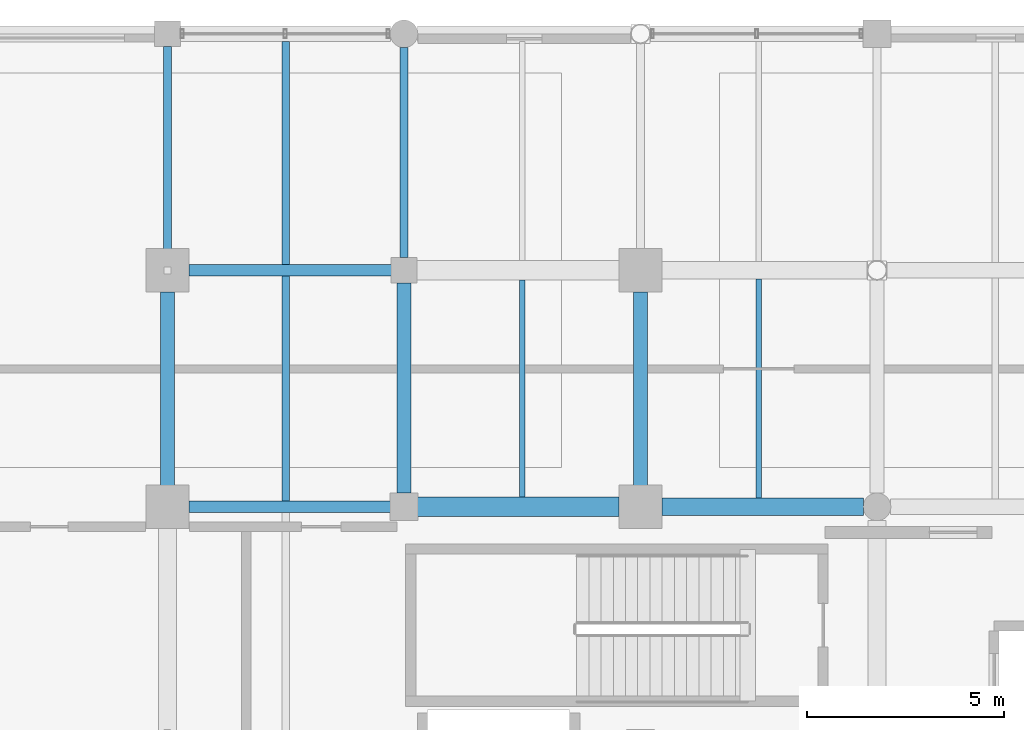
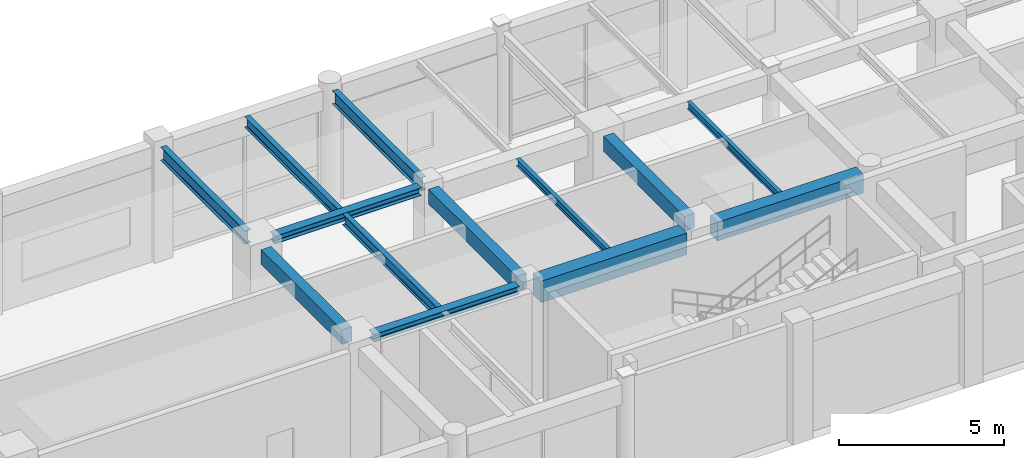
# One storey, part 43 of 116: 13 beams.
"""IFC4 building model written with IfcOpenShell, lengths in metres."""

from ifc_helpers import new_model, si_unit, direction, frame, origin, origin_2d, place, context, subcontext, project, spatial, rectangle, i_section, extrude, material, material_profile, profile_set, type_object, element, save


model = new_model("IFC4")

# Units and contexts
model_context = context("Model", 3, precision=1e-05, world=origin(), true_north=direction((0.0, 1.0)))
body_context = subcontext(model_context, "Body", "Model", "MODEL_VIEW")
ifc_project = project(units=[si_unit("LENGTHUNIT", "METRE"), si_unit("AREAUNIT", "SQUARE_METRE"), si_unit("VOLUMEUNIT", "CUBIC_METRE"), si_unit("PLANEANGLEUNIT", "RADIAN"), si_unit("MASSUNIT", "GRAM", prefix="KILO"), si_unit("THERMODYNAMICTEMPERATUREUNIT", "KELVIN"), si_unit("POWERUNIT", "WATT")], contexts=[model_context])

# Site, building, storey
site_placement = place(None, origin())
site = spatial("IfcSite", under=ifc_project, at=site_placement, CompositionType="ELEMENT")
building_placement = place(site_placement, origin())
building = spatial("IfcBuilding", under=site, at=building_placement, Name="Phaisarnlok Congress Hotel", CompositionType="ELEMENT")
storey_placement = place(building_placement, frame((0.0, 0.0, 10.5)))
storey = spatial("IfcBuildingStorey", under=building, at=storey_placement, Name="L02", CompositionType="ELEMENT", Elevation=10.5)

# Beams
ifc_material_1 = material(Name="Concrete C40/50", Category="concrete")
ifc_material_profile_1 = material_profile(ifc_material_1, rectangle(XDim=0.35009765625, YDim=0.550048828125, at=origin_2d()), Name="RC 350x550")
ifc_profile_set_1 = profile_set([ifc_material_profile_1], Name="Concrete C40/50")
beam_type_1 = type_object("IfcBeamType", Name="BM-RC-350x550", PredefinedType="BEAM", material=ifc_profile_set_1)
beam_1_placement = place(storey_placement, frame((96.0, 114.544921875, 3.965087890625), z_axis=(0.0, 1.0, 0.0), x_axis=(-1.0, 0.0, 0.0)))
element("IfcBeam", 1, at=beam_1_placement, inside=storey, type_object=beam_type_1, Name="Beam B-01", PredefinedType="BEAM", context=body_context, shape_type="SweptSolid", body=[
    extrude(rectangle(XDim=0.35009765625, YDim=0.550048828125, at=origin_2d()), origin(), (0.0, 0.0, 1.0), 4.91015625),
])
beam_2_placement = place(storey_placement, frame((102.0, 114.344970703125, 3.965087890625), z_axis=(0.0, 1.0, 0.0), x_axis=(-1.0, 0.0, 0.0)))
element("IfcBeam", 2, at=beam_2_placement, inside=storey, type_object=beam_type_1, Name="Beam B-01", PredefinedType="BEAM", context=body_context, shape_type="SweptSolid", body=[
    extrude(rectangle(XDim=0.35009765625, YDim=0.550048828125, at=origin_2d()), origin(), (0.0, 0.0, 1.0), 5.3349609375),
])
beam_3_placement = place(storey_placement, frame((108.0, 114.544921875, 3.965087890625), z_axis=(0.0, 1.0, 0.0), x_axis=(-1.0, 0.0, 0.0)))
element("IfcBeam", 3, at=beam_3_placement, inside=storey, type_object=beam_type_1, Name="Beam B-01", PredefinedType="BEAM", context=body_context, shape_type="SweptSolid", body=[
    extrude(rectangle(XDim=0.35009765625, YDim=0.550048828125, at=origin_2d()), origin(), (0.0, 0.0, 1.0), 4.91015625),
])
ifc_material_profile_2 = material_profile(ifc_material_1, rectangle(XDim=0.449951171875, YDim=0.699951171875, at=origin_2d()), Name="RC 450x700")
ifc_profile_set_2 = profile_set([ifc_material_profile_2], Name="Concrete C40/50")
beam_type_2 = type_object("IfcBeamType", Name="BM-RC-450x700", PredefinedType="BEAM", material=ifc_profile_set_2)
beam_4_placement = place(storey_placement, frame((108.544921875, 114.0, 3.889892578125), z_axis=(1.0, 0.0, 0.0), x_axis=(0.0, 1.0, 0.0)))
element("IfcBeam", 4, at=beam_4_placement, inside=storey, type_object=beam_type_2, Name="Beam B-03", PredefinedType="BEAM", context=body_context, shape_type="SweptSolid", body=[
    extrude(rectangle(XDim=0.449951171875, YDim=0.699951171875, at=origin_2d()), origin(), (0.0, 0.0, 1.0), 5.110107421875),
])
ifc_material_profile_3 = material_profile(ifc_material_1, rectangle(XDim=0.5, YDim=0.800048828125, at=origin_2d()), Name="RC 500x800")
ifc_profile_set_3 = profile_set([ifc_material_profile_3], Name="Concrete C40/50")
beam_type_3 = type_object("IfcBeamType", Name="BM-RC-500x800", PredefinedType="BEAM", material=ifc_profile_set_3)
beam_5_placement = place(storey_placement, frame((102.344970703125, 114.0, 3.840087890625), z_axis=(1.0, 0.0, 0.0), x_axis=(0.0, 1.0, 0.0)))
element("IfcBeam", 5, at=beam_5_placement, inside=storey, type_object=beam_type_3, Name="Beam B-04", PredefinedType="BEAM", context=body_context, shape_type="SweptSolid", body=[
    extrude(rectangle(XDim=0.5, YDim=0.800048828125, at=origin_2d()), origin(), (0.0, 0.0, 1.0), 5.110107421875),
])
ifc_material_2 = material(Name="Steel S355", Category="steel")
ifc_material_profile_4 = material_profile(ifc_material_2, i_section(OverallWidth=0.300048828125, OverallDepth=0.2900390625, WebThickness=0.008544921875, FlangeThickness=0.013916015625, FilletRadius=0.027099609375, at=origin_2d()), Name="HEA 300")
ifc_profile_set_4 = profile_set([ifc_material_profile_4], Name="Steel S355")
beam_type_4 = type_object("IfcBeamType", Name="BM-STL-HEA300", PredefinedType="BEAM", material=ifc_profile_set_4)
beam_6_placement = place(storey_placement, frame((96.544921875, 114.0, 4.094970703125), z_axis=(1.0, 0.0, 0.0), x_axis=(0.0, 1.0, 0.0)))
element("IfcBeam", 6, at=beam_6_placement, inside=storey, type_object=beam_type_4, Name="Beam SB-05", PredefinedType="BEAM", context=body_context, shape_type="SweptSolid", body=[
    extrude(i_section(OverallWidth=0.300048828125, OverallDepth=0.2900390625, WebThickness=0.008544921875, FlangeThickness=0.013916015625, FilletRadius=0.027099609375, at=origin_2d()), origin(), (0.0, 0.0, 1.0), 5.110107421875),
])
beam_7_placement = place(storey_placement, frame((96.544921875, 120.0, 4.094970703125), z_axis=(1.0, 0.0, 0.0), x_axis=(0.0, 1.0, 0.0)))
element("IfcBeam", 7, at=beam_7_placement, inside=storey, type_object=beam_type_4, Name="Beam SB-05", PredefinedType="BEAM", context=body_context, shape_type="SweptSolid", body=[
    extrude(i_section(OverallWidth=0.300048828125, OverallDepth=0.2900390625, WebThickness=0.008544921875, FlangeThickness=0.013916015625, FilletRadius=0.027099609375, at=origin_2d()), origin(), (0.0, 0.0, 1.0), 5.135009765625),
])
ifc_material_profile_5 = material_profile(ifc_material_2, i_section(OverallWidth=0.199951171875, OverallDepth=0.5, WebThickness=0.01025390625, FlangeThickness=0.01611328125, FilletRadius=0.02099609375, at=origin_2d()), Name="IPE 500")
ifc_profile_set_5 = profile_set([ifc_material_profile_5], Name="Steel S355")
beam_type_5 = type_object("IfcBeamType", Name="BM-STL-IPE500", PredefinedType="BEAM", material=ifc_profile_set_5)
beam_8_placement = place(storey_placement, frame((96.0, 120.544921875, 3.989990234375), z_axis=(0.0, 1.0, 0.0), x_axis=(-1.0, 0.0, 0.0)))
element("IfcBeam", 8, at=beam_8_placement, inside=storey, type_object=beam_type_5, Name="Beam SB-02", PredefinedType="BEAM", context=body_context, shape_type="SweptSolid", body=[
    extrude(i_section(OverallWidth=0.199951171875, OverallDepth=0.5, WebThickness=0.01025390625, FlangeThickness=0.01611328125, FilletRadius=0.02099609375, at=origin_2d()), origin(), (0.0, 0.0, 1.0), 5.135009765625),
])
beam_9_placement = place(storey_placement, frame((102.0, 120.320068359375, 3.989990234375), z_axis=(0.0, 1.0, 0.0), x_axis=(-1.0, 0.0, 0.0)))
element("IfcBeam", 9, at=beam_9_placement, inside=storey, type_object=beam_type_5, Name="Beam SB-02", PredefinedType="BEAM", context=body_context, shape_type="SweptSolid", body=[
    extrude(i_section(OverallWidth=0.199951171875, OverallDepth=0.5, WebThickness=0.01025390625, FlangeThickness=0.01611328125, FilletRadius=0.02099609375, at=origin_2d()), origin(), (0.0, 0.0, 1.0), 5.3349609375),
])
ifc_material_profile_6 = material_profile(ifc_material_2, i_section(OverallWidth=0.135009765625, OverallDepth=0.27001953125, WebThickness=0.006591796875, FlangeThickness=0.01025390625, FilletRadius=0.014892578125, at=origin_2d()), Name="IPE 270")
ifc_profile_set_6 = profile_set([ifc_material_profile_6], Name="Steel S355")
beam_type_6 = type_object("IfcBeamType", Name="JS-STL-IPE270", PredefinedType="JOIST", material=ifc_profile_set_6)
beam_10_placement = place(storey_placement, frame((105.0, 114.2451171875, 4.10498046875), z_axis=(0.0, 1.0, 0.0), x_axis=(-1.0, 0.0, 0.0)))
element("IfcBeam", 10, at=beam_10_placement, inside=storey, type_object=beam_type_6, Name="Secondary floor joist J-02", PredefinedType="JOIST", context=body_context, shape_type="SweptSolid", body=[
    extrude(i_section(OverallWidth=0.135009765625, OverallDepth=0.27001953125, WebThickness=0.006591796875, FlangeThickness=0.01025390625, FilletRadius=0.014892578125, at=origin_2d()), origin(), (0.0, 0.0, 1.0), 5.509765625),
])
beam_11_placement = place(storey_placement, frame((111.0, 114.219970703125, 4.10498046875), z_axis=(0.0, 1.0, 0.0), x_axis=(-1.0, 0.0, 0.0)))
element("IfcBeam", 11, at=beam_11_placement, inside=storey, type_object=beam_type_6, Name="Secondary floor joist J-02", PredefinedType="JOIST", context=body_context, shape_type="SweptSolid", body=[
    extrude(i_section(OverallWidth=0.135009765625, OverallDepth=0.27001953125, WebThickness=0.006591796875, FlangeThickness=0.01025390625, FilletRadius=0.014892578125, at=origin_2d()), origin(), (0.0, 0.0, 1.0), 5.56005859375),
])
ifc_material_profile_7 = material_profile(ifc_material_2, i_section(OverallWidth=0.179931640625, OverallDepth=0.39990234375, WebThickness=0.008544921875, FlangeThickness=0.013427734375, FilletRadius=0.02099609375, at=origin_2d()), Name="IPE 400")
ifc_profile_set_7 = profile_set([ifc_material_profile_7], Name="Steel S355")
beam_type_7 = type_object("IfcBeamType", Name="JS-STL-IPE400", PredefinedType="JOIST", material=ifc_profile_set_7)
beam_12_placement = place(storey_placement, frame((99.0, 114.14501953125, 4.0400390625), z_axis=(0.0, 1.0, 0.0), x_axis=(-1.0, 0.0, 0.0)))
element("IfcBeam", 12, at=beam_12_placement, inside=storey, type_object=beam_type_7, Name="Secondary floor joist J-05", PredefinedType="JOIST", context=body_context, shape_type="SweptSolid", body=[
    extrude(i_section(OverallWidth=0.179931640625, OverallDepth=0.39990234375, WebThickness=0.008544921875, FlangeThickness=0.013427734375, FilletRadius=0.02099609375, at=origin_2d()), origin(), (0.0, 0.0, 1.0), 5.7099609375),
])
beam_13_placement = place(storey_placement, frame((99.0, 120.14501953125, 4.0400390625), z_axis=(0.0, 1.0, 0.0), x_axis=(-1.0, 0.0, 0.0)))
element("IfcBeam", 13, at=beam_13_placement, inside=storey, type_object=beam_type_7, Name="Secondary floor joist J-05", PredefinedType="JOIST", context=body_context, shape_type="SweptSolid", body=[
    extrude(i_section(OverallWidth=0.179931640625, OverallDepth=0.39990234375, WebThickness=0.008544921875, FlangeThickness=0.013427734375, FilletRadius=0.02099609375, at=origin_2d()), origin(), (0.0, 0.0, 1.0), 5.659912109375),
])

save(model, "model.ifc")
